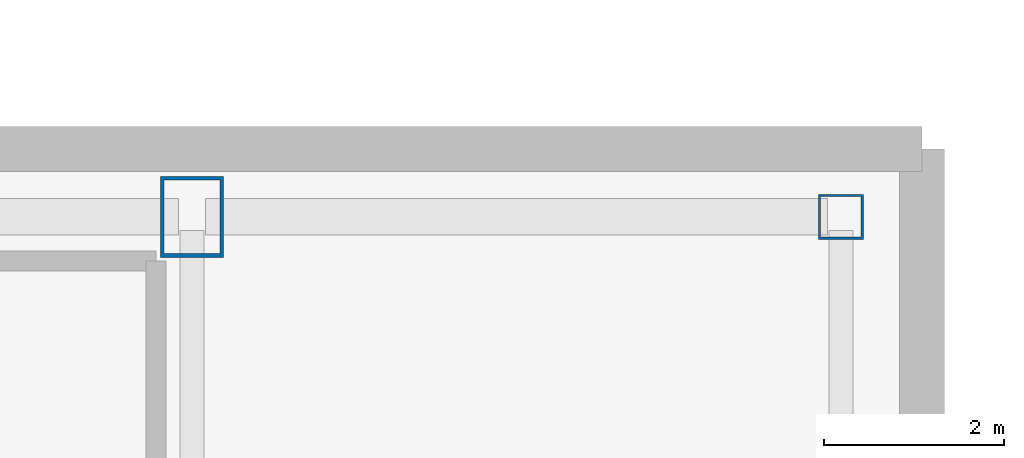
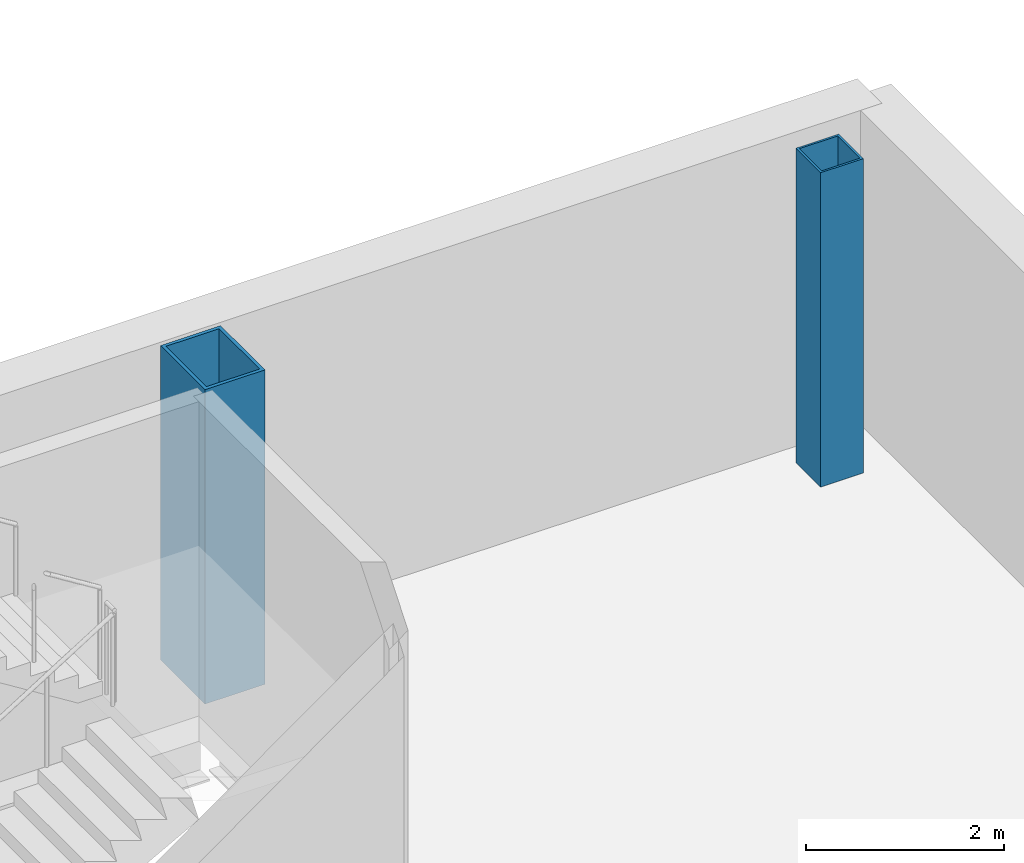
# One storey, part 4 of 16: 2 columns.
"""IFC4 building model written with IfcOpenShell, lengths in metres."""

from ifc_helpers import new_model, si_unit, direction, frame, origin, origin_2d, place, context, subcontext, project, spatial, hollow_rectangle, extrude, source, transform, mapped, material, material_profile, profile_set, type_object, element, save


model = new_model("IFC4")

# Units and contexts
model_context = context("Model", 3, precision=1e-05, world=origin(), true_north=direction((0.0, 1.0)))
body_context = subcontext(model_context, "Body", "Model", "MODEL_VIEW")
ifc_project = project(units=[si_unit("LENGTHUNIT", "METRE"), si_unit("AREAUNIT", "SQUARE_METRE"), si_unit("VOLUMEUNIT", "CUBIC_METRE"), si_unit("PLANEANGLEUNIT", "RADIAN"), si_unit("MASSUNIT", "GRAM", prefix="KILO")], contexts=[model_context])

# Site, building, storey
site_placement = place(None, origin())
site = spatial("IfcSite", under=ifc_project, at=site_placement, CompositionType="ELEMENT")
building_placement = place(site_placement, origin())
building = spatial("IfcBuilding", under=site, at=building_placement, Name="Kolveth Station Tower", CompositionType="ELEMENT")
storey_placement = place(building_placement, frame((0.0, 0.0, -4.199951171875)))
storey = spatial("IfcBuildingStorey", under=building, at=storey_placement, Name="B1", CompositionType="ELEMENT", Elevation=-4.199951171875)

# Columns
ifc_material = material(Name="Steel S355", Category="steel")
ifc_material_profile_1 = material_profile(ifc_material, hollow_rectangle(XDim=0.699951171875, YDim=0.89990234375, WallThickness=0.0400390625, at=origin_2d()), Name="BOX900x700x40")
ifc_profile_set_1 = profile_set([ifc_material_profile_1], Name="Steel S355")
column_type_1 = type_object("IfcColumnType", Name="Col_SC1", PredefinedType="COLUMN", material=ifc_profile_set_1)
shared_shape_1 = source(origin(), body_context, "Body", "SweptSolid", [
    extrude(hollow_rectangle(XDim=0.699951171875, YDim=0.89990234375, WallThickness=0.0400390625, at=origin_2d()), origin(), (0.0, 0.0, 1.0), 3.8798828125),
])
column_1_placement = place(storey_placement, frame((63.5, 39.75, 0.0), z_axis=(0.0, 0.0, 1.0), x_axis=(1.0, 0.0, 0.0)))
element("IfcColumn", 1, at=column_1_placement, inside=storey, type_object=column_type_1, Name="B1 Station Column SE-3-6", PredefinedType="COLUMN", context=body_context, shape_type="MappedRepresentation", body=[
    mapped(shared_shape_1, transform((0.0, 0.0, 0.0), x_axis=(1.0, 0.0, 0.0), y_axis=(0.0, 1.0, 0.0), z_axis=(0.0, 0.0, 1.0), scale=1.0)),
])
ifc_material_profile_2 = material_profile(ifc_material, hollow_rectangle(XDim=0.5, YDim=0.5, WallThickness=0.02490234375, at=origin_2d()), Name="HSS500x500x25")
ifc_profile_set_2 = profile_set([ifc_material_profile_2], Name="Steel S355")
column_type_2 = type_object("IfcColumnType", Name="Col_SC2", PredefinedType="COLUMN", material=ifc_profile_set_2)
shared_shape_2 = source(origin(), body_context, "Body", "SweptSolid", [
    extrude(hollow_rectangle(XDim=0.5, YDim=0.5, WallThickness=0.02490234375, at=origin_2d()), origin(), (0.0, 0.0, 1.0), 3.8798828125),
])
column_2_placement = place(storey_placement, frame((70.699951171875, 39.75, 0.0), z_axis=(0.0, 0.0, 1.0), x_axis=(1.0, 0.0, 0.0)))
element("IfcColumn", 2, at=column_2_placement, inside=storey, type_object=column_type_2, Name="B1 Station Column SE-4-6", PredefinedType="COLUMN", context=body_context, shape_type="MappedRepresentation", body=[
    mapped(shared_shape_2, transform((0.0, 0.0, 0.0), x_axis=(1.0, 0.0, 0.0), y_axis=(0.0, 1.0, 0.0), z_axis=(0.0, 0.0, 1.0), scale=1.0)),
])

save(model, "model.ifc")
